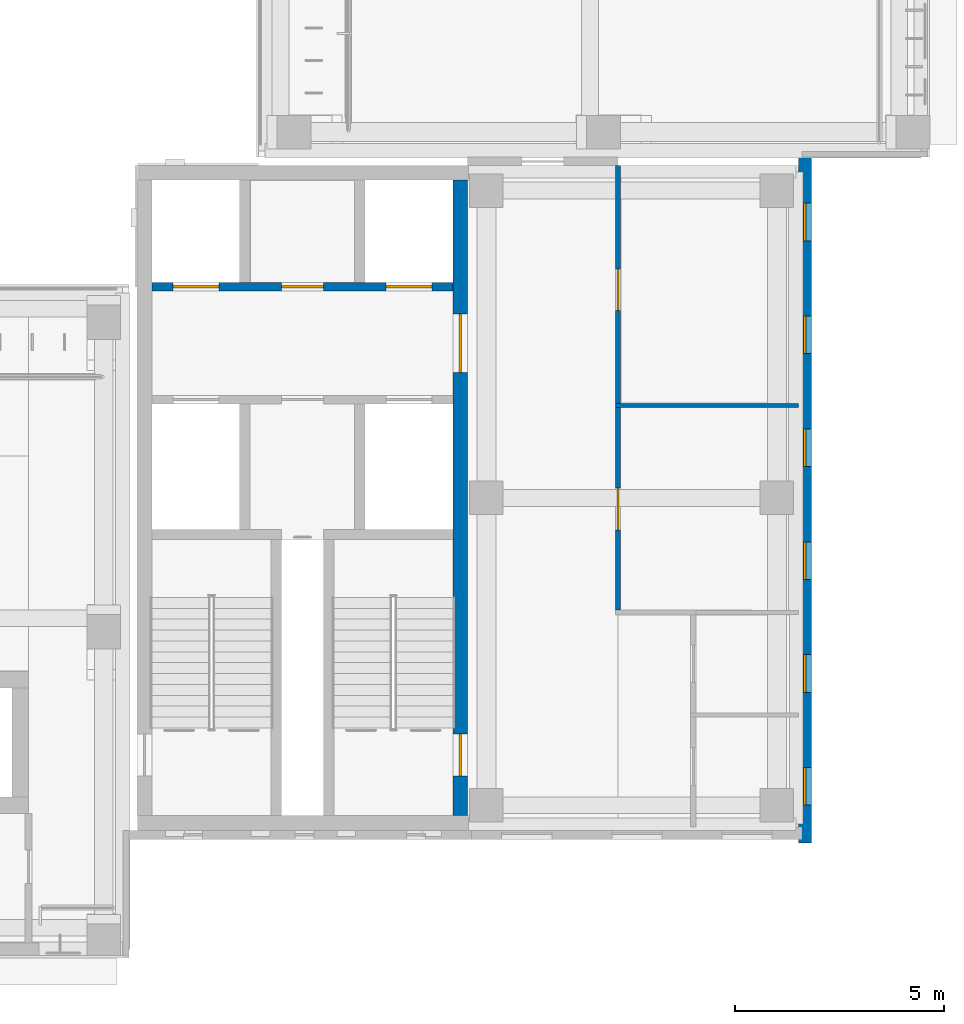
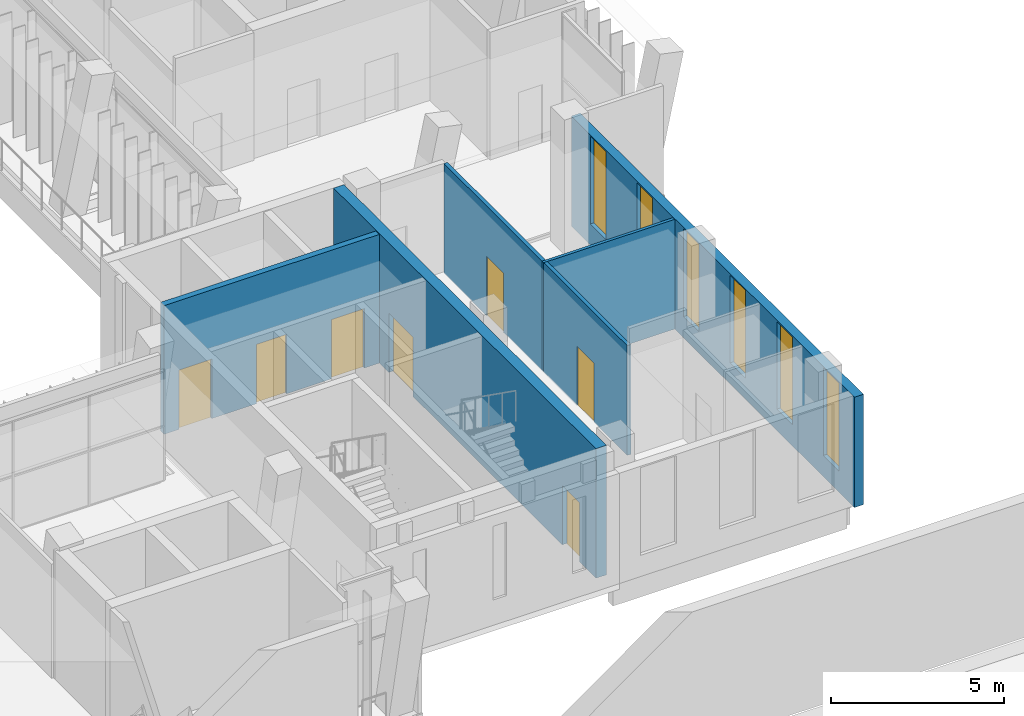
# One storey, part 61 of 89: 7 doors, 6 windows, 5 walls, 13 openings.
"""IFC4 building model written with IfcOpenShell, lengths in metres."""

from ifc_helpers import new_model, si_unit, direction, frame, frame_2d, origin, place, context, subcontext, project, spatial, rectangle, extrude, material, layer, layer_set, type_object, element, fill, save


model = new_model("IFC4")

# Units and contexts
model_context = context("Model", 3, precision=1e-05, world=origin(), true_north=direction((0.0, 1.0)))
body_context = subcontext(model_context, "Body", "Model", "MODEL_VIEW")
ifc_project = project(units=[si_unit("LENGTHUNIT", "METRE"), si_unit("AREAUNIT", "SQUARE_METRE"), si_unit("VOLUMEUNIT", "CUBIC_METRE"), si_unit("PLANEANGLEUNIT", "RADIAN"), si_unit("MASSUNIT", "GRAM", prefix="KILO")], contexts=[model_context])

# Site, building, storey
site_placement = place(None, origin())
site = spatial("IfcSite", under=ifc_project, at=site_placement, CompositionType="ELEMENT")
building_placement = place(site_placement, origin())
building = spatial("IfcBuilding", under=site, at=building_placement, Name="Lantern Court Media Centre", CompositionType="ELEMENT")
storey_placement = place(building_placement, frame((0.0, 0.0, 14.39990234375)))
storey = spatial("IfcBuildingStorey", under=building, at=storey_placement, Name="L03", CompositionType="ELEMENT", Elevation=14.39990234375)

# Wall, openings, doors
ifc_material_1 = material(Name="Gypsum board partition")
ifc_layer_1 = layer(ifc_material_1, 0.125)
ifc_layer_set_1 = layer_set([ifc_layer_1], Name="Gypsum board partition")
wall_type_1 = type_object("IfcWallType", Name="Corridor partition 125", PredefinedType="PARTITIONING", material=ifc_layer_set_1)
wall_1_placement = place(storey_placement, frame((91.60009765625, 53.272216796875, 0.0), z_axis=(0.0, 0.0, 1.0), x_axis=(0.0, 1.0, 0.0)))
wall_1 = element("IfcWall", 1, at=wall_1_placement, inside=storey, type_object=wall_type_1, Name="L03 partition 054", PredefinedType="PARTITIONING", context=body_context, shape_type="SweptSolid", body=[
    extrude(rectangle(XDim=10.627685546875, YDim=0.125, at=frame_2d((5.31396484375, 0.0))), origin(), (0.0, 0.0, 1.0), 3.880126953125),
])
opening_1_placement = place(wall_1_placement, frame((1.912109375, 0.0, 0.0)))
opening_1 = element("IfcOpeningElement", 2, at=opening_1_placement, cuts=wall_1, Name="Opening L03-038", PredefinedType="OPENING", context=body_context, shape_type="SweptSolid", body=[
    extrude(rectangle(XDim=1.0, YDim=2.10009765625, at=frame_2d((0.5, 1.050048828125))), frame((0.0, 0.072509765625, 0.0), z_axis=(0.0, -1.0, 0.0), x_axis=(1.0, 0.0, 0.0)), (0.0, 0.0, 1.0), 0.14501953125),
])
opening_2_placement = place(wall_1_placement, frame((7.15478515625, 0.0, 0.0)))
opening_2 = element("IfcOpeningElement", 3, at=opening_2_placement, cuts=wall_1, Name="Opening L03-039", PredefinedType="OPENING", context=body_context, shape_type="SweptSolid", body=[
    extrude(rectangle(XDim=1.0, YDim=2.10009765625, at=frame_2d((0.5, 1.050048828125))), frame((0.0, 0.072509765625, 0.0), z_axis=(0.0, -1.0, 0.0), x_axis=(1.0, 0.0, 0.0)), (0.0, 0.0, 1.0), 0.14501953125),
])
ifc_material_2 = material(Name="Solid-core timber door leaf", Category="wood")
door_type_1 = type_object("IfcDoorType", Name="Single door 1000x2100", OperationType="NOTDEFINED", PredefinedType="DOOR", material=ifc_material_2)
door_1_placement = place(opening_1_placement, frame((1.0, 0.0, 0.0), z_axis=(0.0, 0.0, 1.0), x_axis=(-1.0, 0.0, 0.0)))
door_1 = element("IfcDoor", 4, at=door_1_placement, inside=storey, type_object=door_type_1, Name="L03 Digital Media Lab door", OperationType="SINGLE_SWING_LEFT", OverallHeight=2.10009765625, OverallWidth=1.0, PredefinedType="DOOR", context=body_context, shape_type="SweptSolid", body=[
    extrude(rectangle(XDim=1.0, YDim=2.10009765625, at=frame_2d((0.5, 1.050048828125))), frame((0.0, 0.02490234375, 0.0), z_axis=(0.0, -1.0, 0.0), x_axis=(1.0, 0.0, 0.0)), (0.0, 0.0, 1.0), 0.050048828125),
])
fill(opening_1, door_1)
door_2_placement = place(opening_2_placement, frame((1.0, 0.0, 0.0), z_axis=(0.0, 0.0, 1.0), x_axis=(-1.0, 0.0, 0.0)))
door_2 = element("IfcDoor", 5, at=door_2_placement, inside=storey, type_object=door_type_1, Name="L03 Media Library Reading Room 08 door", OperationType="SINGLE_SWING_RIGHT", OverallHeight=2.10009765625, OverallWidth=1.0, PredefinedType="DOOR", context=body_context, shape_type="SweptSolid", body=[
    extrude(rectangle(XDim=1.0, YDim=2.10009765625, at=frame_2d((0.5, 1.050048828125))), frame((0.0, 0.02490234375, 0.0), z_axis=(0.0, -1.0, 0.0), x_axis=(1.0, 0.0, 0.0)), (0.0, 0.0, 1.0), 0.050048828125),
])
fill(opening_2, door_2)

ifc_material_3 = material(Name="Concrete C40", Category="concrete")
ifc_layer_2 = layer(ifc_material_3, 0.199951171875)
ifc_layer_set_2 = layer_set([ifc_layer_2], Name="Concrete C40")
wall_type_2 = type_object("IfcWallType", Name="Fire lobby wall 200", PredefinedType="SOLIDWALL", material=ifc_layer_set_2)
wall_2_placement = place(storey_placement, frame((87.64990234375, 61.0, 0.0), z_axis=(0.0, 0.0, 1.0), x_axis=(-1.0, 0.0, 0.0)))
wall_2 = element("IfcWall", 6, at=wall_2_placement, inside=storey, type_object=wall_type_2, Name="L03 SE FW2", PredefinedType="SOLIDWALL", context=body_context, shape_type="SweptSolid", body=[
    extrude(rectangle(XDim=7.199951171875, YDim=0.199951171875, at=frame_2d((3.60009765625, 0.0))), origin(), (0.0, 0.0, 1.0), 4.550048828125),
])
opening_3_placement = place(wall_2_placement, frame((0.5, 0.0, 0.0)))
opening_3 = element("IfcOpeningElement", 7, at=opening_3_placement, cuts=wall_2, Name="Opening LD-SEP2-L03", PredefinedType="OPENING", context=body_context, shape_type="SweptSolid", body=[
    extrude(rectangle(XDim=1.10009765625, YDim=2.10009765625, at=frame_2d((0.550048828125, 1.050048828125))), frame((0.0, 0.10986328125, 0.0), z_axis=(0.0, -1.0, 0.0), x_axis=(1.0, 0.0, 0.0)), (0.0, 0.0, 1.0), 0.219970703125),
])
opening_4_placement = place(wall_2_placement, frame((5.60009765625, 0.0, 0.0)))
opening_4 = element("IfcOpeningElement", 8, at=opening_4_placement, cuts=wall_2, Name="Opening LD-SEP3-L03", PredefinedType="OPENING", context=body_context, shape_type="SweptSolid", body=[
    extrude(rectangle(XDim=1.10009765625, YDim=2.10009765625, at=frame_2d((0.550048828125, 1.050048828125))), frame((0.0, 0.10986328125, 0.0), z_axis=(0.0, -1.0, 0.0), x_axis=(1.0, 0.0, 0.0)), (0.0, 0.0, 1.0), 0.219970703125),
])
opening_5_placement = place(wall_2_placement, frame((3.10009765625, 0.0, 0.0)))
opening_5 = element("IfcOpeningElement", 9, at=opening_5_placement, cuts=wall_2, Name="Opening SE-L03-04", PredefinedType="OPENING", context=body_context, shape_type="SweptSolid", body=[
    extrude(rectangle(XDim=1.0, YDim=2.10009765625, at=frame_2d((0.5, 1.050048828125))), frame((0.0, 0.10986328125, 0.0), z_axis=(0.0, -1.0, 0.0), x_axis=(1.0, 0.0, 0.0)), (0.0, 0.0, 1.0), 0.219970703125),
])
ifc_material_4 = material(Name="Steel door leaf", Category="steel")
door_type_2 = type_object("IfcDoorType", Name="Lift landing door 1100x2100", OperationType="DOUBLE_DOOR_SLIDING", PredefinedType="DOOR", material=ifc_material_4)
door_3_placement = place(opening_3_placement, origin())
door_3 = element("IfcDoor", 10, at=door_3_placement, inside=storey, type_object=door_type_2, Name="L03 SE lift P2 landing door", OperationType="DOUBLE_DOOR_SLIDING", OverallHeight=2.10009765625, OverallWidth=1.10009765625, PredefinedType="DOOR", context=body_context, shape_type="SweptSolid", body=[
    extrude(rectangle(XDim=1.10009765625, YDim=2.10009765625, at=frame_2d((0.550048828125, 1.050048828125))), frame((0.0, 0.02490234375, 0.0), z_axis=(0.0, -1.0, 0.0), x_axis=(1.0, 0.0, 0.0)), (0.0, 0.0, 1.0), 0.050048828125),
])
fill(opening_3, door_3)
door_4_placement = place(opening_4_placement, origin())
door_4 = element("IfcDoor", 11, at=door_4_placement, inside=storey, type_object=door_type_2, Name="L03 SE lift P3 landing door", OperationType="DOUBLE_DOOR_SLIDING", OverallHeight=2.10009765625, OverallWidth=1.10009765625, PredefinedType="DOOR", context=body_context, shape_type="SweptSolid", body=[
    extrude(rectangle(XDim=1.10009765625, YDim=2.10009765625, at=frame_2d((0.550048828125, 1.050048828125))), frame((0.0, 0.02490234375, 0.0), z_axis=(0.0, -1.0, 0.0), x_axis=(1.0, 0.0, 0.0)), (0.0, 0.0, 1.0), 0.050048828125),
])
fill(opening_4, door_4)
door_type_3 = type_object("IfcDoorType", Name="Service door 1000x2100", OperationType="NOTDEFINED", PredefinedType="DOOR", material=ifc_material_4)
door_5_placement = place(opening_5_placement, origin())
door_5 = element("IfcDoor", 12, at=door_5_placement, inside=storey, type_object=door_type_3, Name="L03 SE accessible WC door", OperationType="SINGLE_SWING_RIGHT", OverallHeight=2.10009765625, OverallWidth=1.0, PredefinedType="DOOR", context=body_context, shape_type="SweptSolid", body=[
    extrude(rectangle(XDim=1.0, YDim=2.10009765625, at=frame_2d((0.5, 1.050048828125))), frame((0.0, 0.02490234375, 0.0), z_axis=(0.0, -1.0, 0.0), x_axis=(1.0, 0.0, 0.0)), (0.0, 0.0, 1.0), 0.050048828125),
])
fill(opening_5, door_5)

# Wall, openings, windows
ifc_material_5 = material(Name="Honed limestone cladding on blockwork", Category="masonry")
ifc_layer_3 = layer(ifc_material_5, 0.300048828125)
ifc_layer_set_3 = layer_set([ifc_layer_3], Name="Honed limestone cladding on blockwork")
wall_type_3 = type_object("IfcWallType", Name="Limestone block wall 300", PredefinedType="SOLIDWALL", material=ifc_layer_set_3)
wall_3_placement = place(storey_placement, frame((96.070068359375, 47.699951171875, 0.0), z_axis=(0.0, 0.0, 1.0), x_axis=(0.0, 1.0, 0.0)))
wall_3 = element("IfcWall", 13, at=wall_3_placement, inside=storey, type_object=wall_type_3, Name="Limestone wall SE E L03", PredefinedType="SOLIDWALL", context=body_context, shape_type="SweptSolid", body=[
    extrude(rectangle(XDim=16.400146484375, YDim=0.300048828125, at=frame_2d((8.2001953125, 0.0))), origin(), (0.0, 0.0, 1.0), 3.900146484375),
])
opening_6_placement = place(wall_3_placement, frame((0.89990234375, 0.0, 0.75)))
opening_6 = element("IfcOpeningElement", 14, at=opening_6_placement, cuts=wall_3, Name="Opening WN-N", PredefinedType="OPENING", context=body_context, shape_type="SweptSolid", body=[
    extrude(rectangle(XDim=0.89990234375, YDim=3.10009765625, at=frame_2d((0.449951171875, 1.550048828125))), frame((0.0, 0.159912109375, 0.0), z_axis=(0.0, -1.0, 0.0), x_axis=(1.0, 0.0, 0.0)), (0.0, 0.0, 1.0), 0.320068359375),
])
opening_7_placement = place(wall_3_placement, frame((3.60009765625, 0.0, 0.75)))
opening_7 = element("IfcOpeningElement", 15, at=opening_7_placement, cuts=wall_3, Name="Opening WN-N", PredefinedType="OPENING", context=body_context, shape_type="SweptSolid", body=[
    extrude(rectangle(XDim=0.89990234375, YDim=3.10009765625, at=frame_2d((0.449951171875, 1.550048828125))), frame((0.0, 0.159912109375, 0.0), z_axis=(0.0, -1.0, 0.0), x_axis=(1.0, 0.0, 0.0)), (0.0, 0.0, 1.0), 0.320068359375),
])
opening_8_placement = place(wall_3_placement, frame((6.300048828125, 0.0, 0.75)))
opening_8 = element("IfcOpeningElement", 16, at=opening_8_placement, cuts=wall_3, Name="Opening WN-N", PredefinedType="OPENING", context=body_context, shape_type="SweptSolid", body=[
    extrude(rectangle(XDim=0.89990234375, YDim=3.10009765625, at=frame_2d((0.449951171875, 1.550048828125))), frame((0.0, 0.159912109375, 0.0), z_axis=(0.0, -1.0, 0.0), x_axis=(1.0, 0.0, 0.0)), (0.0, 0.0, 1.0), 0.320068359375),
])
opening_9_placement = place(wall_3_placement, frame((9.0, 0.0, 0.75)))
opening_9 = element("IfcOpeningElement", 17, at=opening_9_placement, cuts=wall_3, Name="Opening WN-N", PredefinedType="OPENING", context=body_context, shape_type="SweptSolid", body=[
    extrude(rectangle(XDim=0.89990234375, YDim=3.10009765625, at=frame_2d((0.449951171875, 1.550048828125))), frame((0.0, 0.159912109375, 0.0), z_axis=(0.0, -1.0, 0.0), x_axis=(1.0, 0.0, 0.0)), (0.0, 0.0, 1.0), 0.320068359375),
])
opening_10_placement = place(wall_3_placement, frame((11.699951171875, 0.0, 0.75)))
opening_10 = element("IfcOpeningElement", 18, at=opening_10_placement, cuts=wall_3, Name="Opening WN-N", PredefinedType="OPENING", context=body_context, shape_type="SweptSolid", body=[
    extrude(rectangle(XDim=0.89990234375, YDim=3.10009765625, at=frame_2d((0.449951171875, 1.550048828125))), frame((0.0, 0.159912109375, 0.0), z_axis=(0.0, -1.0, 0.0), x_axis=(1.0, 0.0, 0.0)), (0.0, 0.0, 1.0), 0.320068359375),
])
opening_11_placement = place(wall_3_placement, frame((14.39990234375, 0.0, 0.75)))
opening_11 = element("IfcOpeningElement", 19, at=opening_11_placement, cuts=wall_3, Name="Opening WN-N", PredefinedType="OPENING", context=body_context, shape_type="SweptSolid", body=[
    extrude(rectangle(XDim=0.89990234375, YDim=3.10009765625, at=frame_2d((0.449951171875, 1.550048828125))), frame((0.0, 0.159912109375, 0.0), z_axis=(0.0, -1.0, 0.0), x_axis=(1.0, 0.0, 0.0)), (0.0, 0.0, 1.0), 0.320068359375),
])
ifc_material_6 = material(Name="Anodised aluminium and glass", Category="aluminium")
window_type = type_object("IfcWindowType", Name="Pier window 900x3100", PartitioningType="SINGLE_PANEL", PredefinedType="WINDOW", material=ifc_material_6)
window_1_placement = place(opening_6_placement, origin())
window_1 = element("IfcWindow", 20, at=window_1_placement, inside=storey, type_object=window_type, Name="Window SE E L03", OverallHeight=3.10009765625, OverallWidth=0.89990234375, PartitioningType="SINGLE_PANEL", PredefinedType="WINDOW", context=body_context, shape_type="SweptSolid", body=[
    extrude(rectangle(XDim=0.89990234375, YDim=3.10009765625, at=frame_2d((0.449951171875, 1.550048828125))), frame((0.0, 0.030029296875, 0.0), z_axis=(0.0, -1.0, 0.0), x_axis=(1.0, 0.0, 0.0)), (0.0, 0.0, 1.0), 0.06005859375),
])
fill(opening_6, window_1)
window_2_placement = place(opening_7_placement, origin())
window_2 = element("IfcWindow", 21, at=window_2_placement, inside=storey, type_object=window_type, Name="Window SE E L03", OverallHeight=3.10009765625, OverallWidth=0.89990234375, PartitioningType="SINGLE_PANEL", PredefinedType="WINDOW", context=body_context, shape_type="SweptSolid", body=[
    extrude(rectangle(XDim=0.89990234375, YDim=3.10009765625, at=frame_2d((0.449951171875, 1.550048828125))), frame((0.0, 0.030029296875, 0.0), z_axis=(0.0, -1.0, 0.0), x_axis=(1.0, 0.0, 0.0)), (0.0, 0.0, 1.0), 0.06005859375),
])
fill(opening_7, window_2)
window_3_placement = place(opening_8_placement, origin())
window_3 = element("IfcWindow", 22, at=window_3_placement, inside=storey, type_object=window_type, Name="Window SE E L03", OverallHeight=3.10009765625, OverallWidth=0.89990234375, PartitioningType="SINGLE_PANEL", PredefinedType="WINDOW", context=body_context, shape_type="SweptSolid", body=[
    extrude(rectangle(XDim=0.89990234375, YDim=3.10009765625, at=frame_2d((0.449951171875, 1.550048828125))), frame((0.0, 0.030029296875, 0.0), z_axis=(0.0, -1.0, 0.0), x_axis=(1.0, 0.0, 0.0)), (0.0, 0.0, 1.0), 0.06005859375),
])
fill(opening_8, window_3)
window_4_placement = place(opening_9_placement, origin())
window_4 = element("IfcWindow", 23, at=window_4_placement, inside=storey, type_object=window_type, Name="Window SE E L03", OverallHeight=3.10009765625, OverallWidth=0.89990234375, PartitioningType="SINGLE_PANEL", PredefinedType="WINDOW", context=body_context, shape_type="SweptSolid", body=[
    extrude(rectangle(XDim=0.89990234375, YDim=3.10009765625, at=frame_2d((0.449951171875, 1.550048828125))), frame((0.0, 0.030029296875, 0.0), z_axis=(0.0, -1.0, 0.0), x_axis=(1.0, 0.0, 0.0)), (0.0, 0.0, 1.0), 0.06005859375),
])
fill(opening_9, window_4)
window_5_placement = place(opening_10_placement, origin())
window_5 = element("IfcWindow", 24, at=window_5_placement, inside=storey, type_object=window_type, Name="Window SE E L03", OverallHeight=3.10009765625, OverallWidth=0.89990234375, PartitioningType="SINGLE_PANEL", PredefinedType="WINDOW", context=body_context, shape_type="SweptSolid", body=[
    extrude(rectangle(XDim=0.89990234375, YDim=3.10009765625, at=frame_2d((0.449951171875, 1.550048828125))), frame((0.0, 0.030029296875, 0.0), z_axis=(0.0, -1.0, 0.0), x_axis=(1.0, 0.0, 0.0)), (0.0, 0.0, 1.0), 0.06005859375),
])
fill(opening_10, window_5)
window_6_placement = place(opening_11_placement, origin())
window_6 = element("IfcWindow", 25, at=window_6_placement, inside=storey, type_object=window_type, Name="Window SE E L03", OverallHeight=3.10009765625, OverallWidth=0.89990234375, PartitioningType="SINGLE_PANEL", PredefinedType="WINDOW", context=body_context, shape_type="SweptSolid", body=[
    extrude(rectangle(XDim=0.89990234375, YDim=3.10009765625, at=frame_2d((0.449951171875, 1.550048828125))), frame((0.0, 0.030029296875, 0.0), z_axis=(0.0, -1.0, 0.0), x_axis=(1.0, 0.0, 0.0)), (0.0, 0.0, 1.0), 0.06005859375),
])
fill(opening_11, window_6)

# Wall
ifc_layer_4 = layer(ifc_material_1, 0.10009765625)
ifc_layer_set_4 = layer_set([ifc_layer_4], Name="Gypsum board partition")
wall_type_4 = type_object("IfcWallType", Name="Partition 100", PredefinedType="PARTITIONING", material=ifc_layer_set_4)
wall_4_placement = place(storey_placement, frame((91.53759765625, 58.158935546875, 0.0), z_axis=(0.0, 0.0, 1.0), x_axis=(1.0, 0.0, 0.0)))
element("IfcWall", 26, at=wall_4_placement, inside=storey, type_object=wall_type_4, Name="L03 partition 058", PredefinedType="PARTITIONING", context=body_context, shape_type="SweptSolid", body=[
    extrude(rectangle(XDim=4.38232421875, YDim=0.10009765625, at=frame_2d((2.191162109375, 0.0))), origin(), (0.0, 0.0, 1.0), 3.880126953125),
])

# Wall, openings, doors
ifc_layer_5 = layer(ifc_material_3, 0.35009765625)
ifc_layer_set_5 = layer_set([ifc_layer_5], Name="Concrete C40")
wall_type_5 = type_object("IfcWallType", Name="RC CORE WALL 350", PredefinedType="SHEAR", material=ifc_layer_set_5)
wall_5_placement = place(storey_placement, frame((87.824951171875, 48.35009765625, 0.0), z_axis=(0.0, 0.0, 1.0), x_axis=(0.0, 1.0, 0.0)))
wall_5 = element("IfcWall", 27, at=wall_5_placement, inside=storey, type_object=wall_type_5, Name="WC-SE-L03-E", PredefinedType="SHEAR", context=body_context, shape_type="SweptSolid", body=[
    extrude(rectangle(XDim=15.199951171875, YDim=0.35009765625, at=frame_2d((7.60009765625, 0.0))), origin(), (0.0, 0.0, 1.0), 4.580078125),
])
opening_12_placement = place(wall_5_placement, frame((0.949951171875, 0.0, 0.0)))
opening_12 = element("IfcOpeningElement", 28, at=opening_12_placement, cuts=wall_5, Name="Opening SE-L03-01", PredefinedType="OPENING", context=body_context, shape_type="SweptSolid", body=[
    extrude(rectangle(XDim=1.0, YDim=2.10009765625, at=frame_2d((0.5, 1.050048828125))), frame((0.0, 0.18505859375, 0.0), z_axis=(0.0, -1.0, 0.0), x_axis=(1.0, 0.0, 0.0)), (0.0, 0.0, 1.0), 0.3701171875),
])
opening_13_placement = place(wall_5_placement, frame((10.60009765625, 0.0, 0.0)))
opening_13 = element("IfcOpeningElement", 29, at=opening_13_placement, cuts=wall_5, Name="Opening SE-L03-05", PredefinedType="OPENING", context=body_context, shape_type="SweptSolid", body=[
    extrude(rectangle(XDim=1.39990234375, YDim=2.10009765625, at=frame_2d((0.699951171875, 1.050048828125))), frame((0.0, 0.18505859375, 0.0), z_axis=(0.0, -1.0, 0.0), x_axis=(1.0, 0.0, 0.0)), (0.0, 0.0, 1.0), 0.3701171875),
])
door_type_4 = type_object("IfcDoorType", Name="Lift lobby double door 1400x2100", OperationType="NOTDEFINED", PredefinedType="DOOR", material=ifc_material_4)
door_6_placement = place(opening_13_placement, frame((1.39990234375, 0.0, 0.0), z_axis=(0.0, 0.0, 1.0), x_axis=(-1.0, 0.0, 0.0)))
door_6 = element("IfcDoor", 30, at=door_6_placement, inside=storey, type_object=door_type_4, Name="L03 SE lift lobby west door", OperationType="SINGLE_SWING_LEFT", OverallHeight=2.10009765625, OverallWidth=1.39990234375, PredefinedType="DOOR", context=body_context, shape_type="SweptSolid", body=[
    extrude(rectangle(XDim=1.39990234375, YDim=2.10009765625, at=frame_2d((0.699951171875, 1.050048828125))), frame((0.0, 0.02490234375, 0.0), z_axis=(0.0, -1.0, 0.0), x_axis=(1.0, 0.0, 0.0)), (0.0, 0.0, 1.0), 0.050048828125),
])
fill(opening_13, door_6)
door_type_5 = type_object("IfcDoorType", Name="Stair door 1000x2100", OperationType="NOTDEFINED", PredefinedType="DOOR", material=ifc_material_4)
door_7_placement = place(opening_12_placement, frame((1.0, 0.0, 0.0), z_axis=(0.0, 0.0, 1.0), x_axis=(-1.0, 0.0, 0.0)))
door_7 = element("IfcDoor", 31, at=door_7_placement, inside=storey, type_object=door_type_5, Name="L03 SE stair A door", OperationType="SINGLE_SWING_LEFT", OverallHeight=2.10009765625, OverallWidth=1.0, PredefinedType="DOOR", context=body_context, shape_type="SweptSolid", body=[
    extrude(rectangle(XDim=1.0, YDim=2.10009765625, at=frame_2d((0.5, 1.050048828125))), frame((0.0, 0.02490234375, 0.0), z_axis=(0.0, -1.0, 0.0), x_axis=(1.0, 0.0, 0.0)), (0.0, 0.0, 1.0), 0.050048828125),
])
fill(opening_12, door_7)

save(model, "model.ifc")
